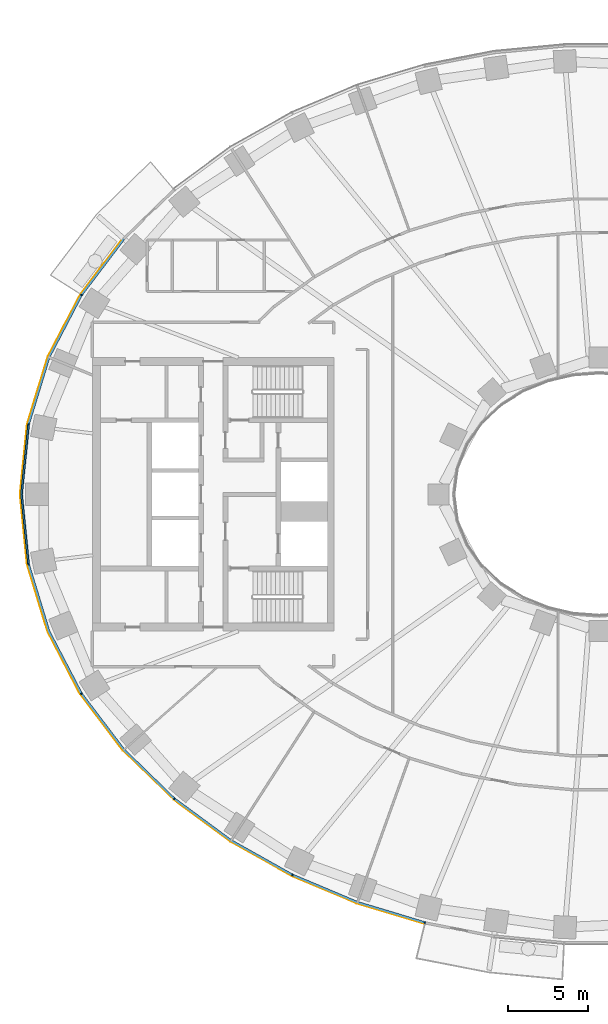
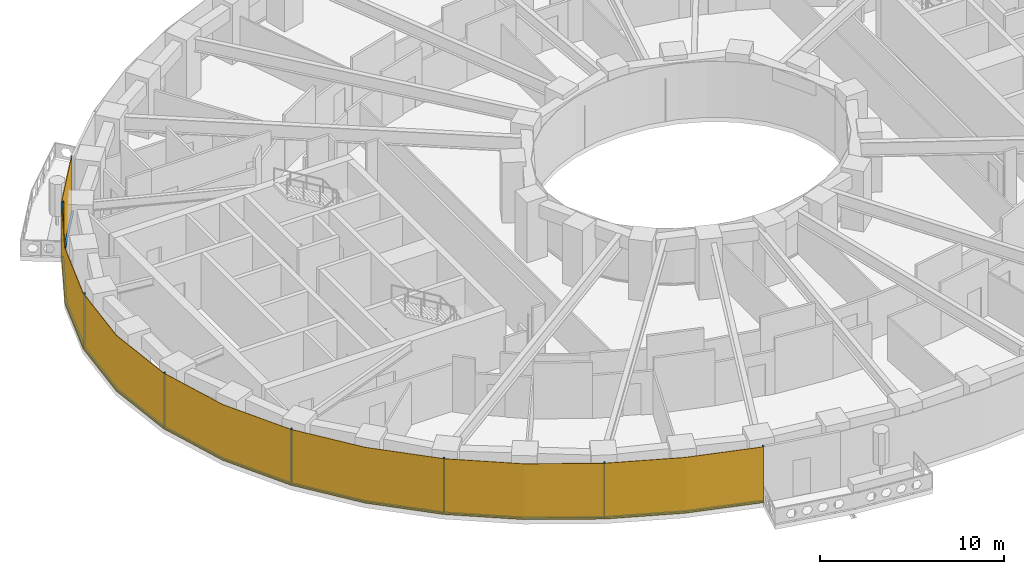
# One storey, part 8 of 16: 14 members, 1 curtain wall.
"""IFC4 building model written with IfcOpenShell, lengths in metres."""

import ifcopenshell
import ifcopenshell.guid

model = None  # the IFC model being written
_history = None  # IfcOwnerHistory: only IFC2X3 demands one
_inside = {}  # id of a spatial element -> (the spatial element, [elements in it])
_under = {}  # id of a project, library or spatial element -> (it, [spatial elements below it])
_declared = {}  # id of a project -> (the project, [libraries it declares])
_typed = {}  # id of a type object -> (the type object, [elements of that type])
_made_of = {}  # id of a material, layer set ... -> (it, [elements and type objects made of it])


def new_model(schema):
    """Start an empty IFC model of exactly this schema.

    Asked for "IFC4X3", IfcOpenShell would pick the latest addendum, in which some entities
    have other attributes; the version numbers below select the first issue.
    IFC2X3 requires an IfcOwnerHistory on every rooted entity: one is made here for all.
    """
    global model, _history
    if schema == "IFC4X3":
        model = ifcopenshell.file(schema_version=(4, 3, 0, 0))
    else:
        model = ifcopenshell.file(schema=schema)
    _inside.clear()
    _under.clear()
    _declared.clear()
    _typed.clear()
    _made_of.clear()
    _history = None
    if model.schema == "IFC2X3":
        org = make("IfcOrganization", Name="unknown")
        user = make(
            "IfcPersonAndOrganization",
            ThePerson=make("IfcPerson", FamilyName="unknown"),
            TheOrganization=org,
        )
        app = make(
            "IfcApplication",
            ApplicationDeveloper=org,
            Version="unknown",
            ApplicationFullName="unknown",
            ApplicationIdentifier="unknown",
        )
        _history = make(
            "IfcOwnerHistory",
            OwningUser=user,
            OwningApplication=app,
            ChangeAction="ADDED",
            CreationDate=0,
        )
    return model


def make(cls, **values):
    """One entity of the class cls with the attributes given. An attribute that is None is left unset."""
    return model.create_entity(
        cls, **{name: value for name, value in values.items() if value is not None}
    )


def rooted(cls, **values):
    """An entity with a GlobalId (a new one), such as an element, a storey or a relation."""
    return make(cls, GlobalId=ifcopenshell.guid.new(), OwnerHistory=_history, **values)


def si_unit(unit_type, name, prefix=None):
    """IfcSIUnit, for example si_unit("LENGTHUNIT", "METRE", prefix="MILLI")."""
    return make("IfcSIUnit", UnitType=unit_type, Prefix=prefix, Name=name)


def assignment(units):
    """IfcUnitAssignment: the units of a project."""
    return None if units is None else make("IfcUnitAssignment", Units=units)


def point(xyz):
    """IfcCartesianPoint."""
    return None if xyz is None else make("IfcCartesianPoint", Coordinates=xyz)


def direction(xyz):
    """IfcDirection."""
    return None if xyz is None else make("IfcDirection", DirectionRatios=xyz)


def frame(location, z_axis=None, x_axis=None):
    """IfcAxis2Placement3D, a coordinate frame: its origin and axes. An axis left out is left unset."""
    return make(
        "IfcAxis2Placement3D",
        Location=point(location),
        Axis=direction(z_axis),
        RefDirection=direction(x_axis),
    )


def frame_2d(location, x_axis=None):
    """IfcAxis2Placement2D, a coordinate frame in the plane: its origin and x axis."""
    return make(
        "IfcAxis2Placement2D", Location=point(location), RefDirection=direction(x_axis)
    )


def origin():
    """The frame at (0, 0, 0) with its axes left unset."""
    return frame((0.0, 0.0, 0.0))


def origin_2d():
    """The frame at (0, 0) in the plane with its x axis left unset."""
    return frame_2d((0.0, 0.0))


def place(relative_to, where):
    """IfcLocalPlacement: puts the frame where relative to a parent placement (None: the world)."""
    return make(
        "IfcLocalPlacement", PlacementRelTo=relative_to, RelativePlacement=where
    )


def context(
    kind, dimensions, precision=None, world=None, true_north=None, identifier=None
):
    """IfcGeometricRepresentationContext, for example the 3D "Model" context."""
    return make(
        "IfcGeometricRepresentationContext",
        ContextIdentifier=identifier,
        ContextType=kind,
        CoordinateSpaceDimension=dimensions,
        Precision=precision,
        WorldCoordinateSystem=world,
        TrueNorth=true_north,
    )


def subcontext(parent, identifier, kind, view, scale=None):
    """IfcGeometricRepresentationSubContext, for example "Body" below "Model"."""
    return make(
        "IfcGeometricRepresentationSubContext",
        ContextIdentifier=identifier,
        ContextType=kind,
        ParentContext=parent,
        TargetScale=scale,
        TargetView=view,
    )


def project(units=None, contexts=None):
    """IfcProject with its units and contexts."""
    return rooted(
        "IfcProject",
        Name="project",
        RepresentationContexts=contexts,
        UnitsInContext=assignment(units),
    )


def spatial(cls, under=None, at=None, **own):
    """A site, building, storey or space (cls), placed at a placement, below another one or the project."""
    s = rooted(cls, ObjectPlacement=at, **own)
    if under is not None:
        _under.setdefault(under.id(), (under, []))[1].append(s)
    return s


def polyline(points):
    """IfcPolyline through the points."""
    return make("IfcPolyline", Points=[point(p) for p in points])


def profile(cls, at=None, kind="AREA", **sizes):
    """A parametric profile (cls). Its sizes go by their IFC names, for example OverallWidth=200.0."""
    return make(cls, ProfileType=kind, Position=at, **sizes)


def rectangle(**sizes):
    """IfcRectangleProfileDef."""
    return profile("IfcRectangleProfileDef", **sizes)


def outline(outer, holes=None, kind="AREA"):
    """IfcArbitraryClosedProfileDef: a profile drawn as a closed curve; with holes, ...WithVoids."""
    if holes is None:
        return make("IfcArbitraryClosedProfileDef", ProfileType=kind, OuterCurve=outer)
    return make(
        "IfcArbitraryProfileDefWithVoids",
        ProfileType=kind,
        OuterCurve=outer,
        InnerCurves=holes,
    )


def extrude(swept, where, along, depth):
    """IfcExtrudedAreaSolid: the profile swept, set in the frame where, extruded along a direction by depth."""
    return make(
        "IfcExtrudedAreaSolid",
        SweptArea=swept,
        Position=where,
        ExtrudedDirection=direction(along),
        Depth=depth,
    )


def shape(context_of_items, identifier, shape_type, items):
    """IfcShapeRepresentation: the items that make up one representation, for example the "Body"."""
    return make(
        "IfcShapeRepresentation",
        ContextOfItems=context_of_items,
        RepresentationIdentifier=identifier,
        RepresentationType=shape_type,
        Items=items,
    )


def material(Name=None, Category=None):
    """IfcMaterial."""
    return make("IfcMaterial", Name=Name, Category=Category)


def layer(
    of_material, thickness, ventilated=None, Name=None, Category=None, Priority=None
):
    """IfcMaterialLayer: one layer of a wall or slab, of a material (None: an air gap)."""
    return make(
        "IfcMaterialLayer",
        Material=of_material,
        LayerThickness=thickness,
        IsVentilated=ventilated,
        Name=Name,
        Category=Category,
        Priority=Priority,
    )


def layer_set(layers, Name=None):
    """IfcMaterialLayerSet."""
    return make("IfcMaterialLayerSet", MaterialLayers=layers, LayerSetName=Name)


def material_profile(
    of_material, cross_section, Name=None, Category=None, Priority=None
):
    """IfcMaterialProfile: a cross section and its material."""
    return make(
        "IfcMaterialProfile",
        Name=Name,
        Material=of_material,
        Profile=cross_section,
        Priority=Priority,
        Category=Category,
    )


def profile_set(profiles, Name=None, composite=None):
    """IfcMaterialProfileSet."""
    return make(
        "IfcMaterialProfileSet",
        Name=Name,
        MaterialProfiles=profiles,
        CompositeProfile=composite,
    )


def made_of(thing, what):
    """Note that an element or type object is made of a material, layer set ...; save() writes the relation."""
    if what is not None:
        _made_of.setdefault(what.id(), (what, []))[1].append(thing)
    return thing


def type_object(cls, material=None, **own):
    """A type object (cls), such as IfcWallType, which elements share."""
    return made_of(rooted(cls, **own), material)


def element(
    cls,
    number,
    at=None,
    inside=None,
    cuts=None,
    type_object=None,
    material=None,
    context=None,
    identifier="Body",
    shape_type=None,
    held_by="IfcProductDefinitionShape",
    body=None,
    shapes=None,
    **own,
):
    """One element of the class cls, such as IfcWall. Its Tag is "e" and its number.

    at: its placement. inside: the storey or other place that contains it. cuts: it is an
    opening in that element (IfcRelVoidsElement). A single representation is given by context,
    identifier, shape_type and body (its items); several are given by shapes. held_by: the class
    of the entity that holds the representations. save() writes the other relations.
    """
    e = rooted(cls, Tag="e%d" % number, ObjectPlacement=at, **own)
    if body is not None:
        shapes = [shape(context, identifier, shape_type, body)]
    if shapes is not None:
        e.Representation = make(held_by, Representations=shapes)
    if inside is not None:
        _inside.setdefault(inside.id(), (inside, []))[1].append(e)
    if cuts is not None:
        rooted(
            "IfcRelVoidsElement", RelatingBuildingElement=cuts, RelatedOpeningElement=e
        )
    if type_object is not None:
        _typed.setdefault(type_object.id(), (type_object, []))[1].append(e)
    return made_of(e, material)


def aggregate(whole, parts):
    """IfcRelAggregates: a whole, such as a stair, and the parts it consists of."""
    return rooted("IfcRelAggregates", RelatingObject=whole, RelatedObjects=parts)


def save(model, path):
    """Write the relations noted so far, then the file.

    IfcRelAggregates (storeys below a building ...), IfcRelContainedInSpatialStructure (elements
    in a storey), IfcRelDefinesByType, IfcRelAssociatesMaterial and IfcRelDeclares: one each for
    every whole, place, type object, material and project.
    """
    for whole, parts in _under.values():
        aggregate(whole, parts)
    for where, things in _inside.values():
        rooted(
            "IfcRelContainedInSpatialStructure",
            RelatedElements=things,
            RelatingStructure=where,
        )
    for kind, things in _typed.values():
        rooted("IfcRelDefinesByType", RelatedObjects=things, RelatingType=kind)
    for what, things in _made_of.values():
        rooted("IfcRelAssociatesMaterial", RelatedObjects=things, RelatingMaterial=what)
    for by, libraries in _declared.values():
        rooted("IfcRelDeclares", RelatingContext=by, RelatedDefinitions=libraries)
    model.write(path)


model = new_model("IFC4")

# Units and contexts
model_context = context("Model", 3, precision=1e-05, world=origin(), true_north=direction((0.0, 1.0)))
body_context = subcontext(model_context, "Body", "Model", "MODEL_VIEW")
ifc_project = project(units=[si_unit("LENGTHUNIT", "METRE"), si_unit("AREAUNIT", "SQUARE_METRE"), si_unit("VOLUMEUNIT", "CUBIC_METRE"), si_unit("PLANEANGLEUNIT", "RADIAN"), si_unit("MASSUNIT", "GRAM", prefix="KILO")], contexts=[model_context])

# Member
ifc_material_1 = material(Name="Aluminium 6063-T6 black anodised", Category="aluminium")
ifc_material_profile = material_profile(ifc_material_1, rectangle(XDim=0.1201171875, YDim=0.06005859375, at=origin_2d()), Name="120x60")
ifc_profile_set = profile_set([ifc_material_profile], Name="Aluminium 6063-T6 black anodised")
member_type_1 = type_object("IfcMemberType", Name="ENV-MULLION-A-120", PredefinedType="MULLION", material=ifc_profile_set)
site_placement = place(None, origin())
building_placement = place(site_placement, origin())
storey_placement = place(building_placement, frame((0.0, 0.0, 70.5)))
member_1_placement = place(storey_placement, frame((-32.177490234375, 12.385498046875, 0.0), z_axis=(0.0, 0.0, 1.0), x_axis=(0.844829880882, -0.53503501976, 0.0)))
member_1 = element("IfcMember", 1, at=member_1_placement, type_object=member_type_1, Name="Mullion A radial 21", PredefinedType="MULLION", context=body_context, shape_type="SweptSolid", body=[
    extrude(rectangle(XDim=0.1201171875, YDim=0.06005859375, at=origin_2d()), origin(), (0.0, 0.0, 1.0), 3.699951171875),
])

member_2_placement = place(storey_placement, frame((-35.470947265625, 4.340576171875, 0.0), z_axis=(0.0, 0.0, 1.0), x_axis=(0.980379083141, -0.19712141776, 0.0)))
member_2 = element("IfcMember", 2, at=member_2_placement, type_object=member_type_1, Name="Mullion A radial 23", PredefinedType="MULLION", context=body_context, shape_type="SweptSolid", body=[
    extrude(rectangle(XDim=0.1201171875, YDim=0.06005859375, at=origin_2d()), origin(), (0.0, 0.0, 1.0), 3.699951171875),
])

member_3_placement = place(storey_placement, frame((-35.470947265625, -4.340576171875, 0.0), z_axis=(0.0, 0.0, 1.0), x_axis=(0.980379083141, 0.19712141776, 0.0)))
member_3 = element("IfcMember", 3, at=member_3_placement, type_object=member_type_1, Name="Mullion A radial 25", PredefinedType="MULLION", context=body_context, shape_type="SweptSolid", body=[
    extrude(rectangle(XDim=0.1201171875, YDim=0.06005859375, at=origin_2d()), origin(), (0.0, 0.0, 1.0), 3.699951171875),
])

member_4_placement = place(storey_placement, frame((-32.177490234375, -12.385498046875, 0.0), z_axis=(0.0, 0.0, 1.0), x_axis=(0.844829880882, 0.53503501976, 0.0)))
member_4 = element("IfcMember", 4, at=member_4_placement, type_object=member_type_1, Name="Mullion A radial 27", PredefinedType="MULLION", context=body_context, shape_type="SweptSolid", body=[
    extrude(rectangle(XDim=0.1201171875, YDim=0.06005859375, at=origin_2d()), origin(), (0.0, 0.0, 1.0), 3.699951171875),
])

member_5_placement = place(storey_placement, frame((-26.403564453125, -18.9130859375, 0.0), z_axis=(0.0, 0.0, 1.0), x_axis=(0.646451313783, 0.762955240435, 0.0)))
member_5 = element("IfcMember", 5, at=member_5_placement, type_object=member_type_1, Name="Mullion A radial 29", PredefinedType="MULLION", context=body_context, shape_type="SweptSolid", body=[
    extrude(rectangle(XDim=0.1201171875, YDim=0.06005859375, at=origin_2d()), origin(), (0.0, 0.0, 1.0), 3.699951171875),
])

member_6_placement = place(storey_placement, frame((-19.06787109375, -23.6474609375, 0.0), z_axis=(0.0, 0.0, 1.0), x_axis=(0.439237769837, 0.898370848563, 0.0)))
member_6 = element("IfcMember", 6, at=member_6_placement, type_object=member_type_1, Name="Mullion A radial 31", PredefinedType="MULLION", context=body_context, shape_type="SweptSolid", body=[
    extrude(rectangle(XDim=0.1201171875, YDim=0.06005859375, at=origin_2d()), origin(), (0.0, 0.0, 1.0), 3.699951171875),
])

member_7_placement = place(storey_placement, frame((-10.84326171875, -26.60498046875, 0.0), z_axis=(0.0, 0.0, 1.0), x_axis=(0.239799081534, 0.970822538106, 0.0)))
member_7 = element("IfcMember", 7, at=member_7_placement, type_object=member_type_1, Name="Mullion A radial 33", PredefinedType="MULLION", context=body_context, shape_type="SweptSolid", body=[
    extrude(rectangle(XDim=0.1201171875, YDim=0.06005859375, at=origin_2d()), origin(), (0.0, 0.0, 1.0), 3.699951171875),
])

ifc_material_2 = material(Name="Aluminium 6063-T6 black anodised", Category="aluminium")
member_type_2 = type_object("IfcMemberType", Name="ENV-TRANSOM-A", PredefinedType="USERDEFINED", material=ifc_material_2)
member_8_placement = place(storey_placement, origin())
member_8 = element("IfcMember", 8, at=member_8_placement, type_object=member_type_2, Name="Transom A radial 20-21", ObjectType="TRANSOM", PredefinedType="USERDEFINED", context=body_context, shape_type="SweptSolid", body=[
    extrude(outline(polyline([(-29.595703125, 15.890869140625), (-32.211181640625, 12.43994140625), (-32.109375, 12.37548828125), (-29.505615234375, 15.811279296875), (-29.595703125, 15.890869140625)])), origin(), (0.0, 0.0, 1.0), 0.10009765625),
])

member_9_placement = place(storey_placement, origin())
member_9 = element("IfcMember", 9, at=member_9_placement, type_object=member_type_2, Name="Transom A radial 21-23", ObjectType="TRANSOM", PredefinedType="USERDEFINED", context=body_context, shape_type="SweptSolid", body=[
    extrude(outline(polyline([(-32.240966796875, 12.392578125), (-34.251220703125, 8.53662109375), (-35.521484375, 4.379150390625), (-35.4033203125, 4.355224609375), (-34.139892578125, 8.490966796875), (-32.139404296875, 12.328369140625), (-32.240966796875, 12.392578125)])), origin(), (0.0, 0.0, 1.0), 0.10009765625),
])

member_10_placement = place(storey_placement, origin())
member_10 = element("IfcMember", 10, at=member_10_placement, type_object=member_type_2, Name="Transom A radial 23-25", ObjectType="TRANSOM", PredefinedType="USERDEFINED", context=body_context, shape_type="SweptSolid", body=[
    extrude(outline(polyline([(-35.532470703125, 4.324462890625), (-35.9677734375, 0.0), (-35.532470703125, -4.324462890625), (-35.414306640625, -4.30078125), (-35.84716796875, 0.0), (-35.414306640625, 4.30078125), (-35.532470703125, 4.324462890625)])), origin(), (0.0, 0.0, 1.0), 0.10009765625),
])

member_11_placement = place(storey_placement, origin())
member_11 = element("IfcMember", 11, at=member_11_placement, type_object=member_type_2, Name="Transom A radial 25-27", ObjectType="TRANSOM", PredefinedType="USERDEFINED", context=body_context, shape_type="SweptSolid", body=[
    extrude(outline(polyline([(-35.521484375, -4.379150390625), (-34.251220703125, -8.53662109375), (-32.240966796875, -12.392578125), (-32.139404296875, -12.328369140625), (-34.139892578125, -8.490966796875), (-35.4033203125, -4.355224609375), (-35.521484375, -4.379150390625)])), origin(), (0.0, 0.0, 1.0), 0.10009765625),
])

member_12_placement = place(storey_placement, origin())
member_12 = element("IfcMember", 12, at=member_12_placement, type_object=member_type_2, Name="Transom A radial 27-29", ObjectType="TRANSOM", PredefinedType="USERDEFINED", context=body_context, shape_type="SweptSolid", body=[
    extrude(outline(polyline([(-32.211181640625, -12.43994140625), (-29.58349609375, -15.906982421875), (-26.46240234375, -18.939208984375), (-26.384765625, -18.847412109375), (-29.493408203125, -15.8271484375), (-32.109375, -12.37548828125), (-32.211181640625, -12.43994140625)])), origin(), (0.0, 0.0, 1.0), 0.10009765625),
])

member_13_placement = place(storey_placement, origin())
member_13 = element("IfcMember", 13, at=member_13_placement, type_object=member_type_2, Name="Transom A radial 29-31", ObjectType="TRANSOM", PredefinedType="USERDEFINED", context=body_context, shape_type="SweptSolid", body=[
    extrude(outline(polyline([(-26.419921875, -18.975341796875), (-22.9150390625, -21.556884765625), (-19.11865234375, -23.687744140625), (-19.06591796875, -23.57958984375), (-22.85009765625, -21.455810546875), (-26.342041015625, -18.883544921875), (-26.419921875, -18.975341796875)])), origin(), (0.0, 0.0, 1.0), 0.10009765625),
])

member_14_placement = place(storey_placement, origin())
member_14 = element("IfcMember", 14, at=member_14_placement, type_object=member_type_2, Name="Transom A radial 31-33", ObjectType="TRANSOM", PredefinedType="USERDEFINED", context=body_context, shape_type="SweptSolid", body=[
    extrude(outline(polyline([(-19.068359375, -23.71240234375), (-15.054443359375, -25.400146484375), (-10.884521484375, -26.655029296875), (-10.855712890625, -26.53857421875), (-15.013916015625, -25.287109375), (-19.015380859375, -23.604248046875), (-19.068359375, -23.71240234375)])), origin(), (0.0, 0.0, 1.0), 0.10009765625),
])

# Site, building, storey
site = spatial("IfcSite", under=ifc_project, at=site_placement, CompositionType="ELEMENT")
building = spatial("IfcBuilding", under=site, at=building_placement, Name="Noorbagh Ring Tower", CompositionType="ELEMENT")
storey = spatial("IfcBuildingStorey", under=building, at=storey_placement, Name="L15", CompositionType="ELEMENT", Elevation=70.5)

# Curtain wall
ifc_material_3 = material(Name="Glass dark tinted laminated", Category="glass")
ifc_layer = layer(ifc_material_3, 0.031982421875)
ifc_layer_set = layer_set([ifc_layer], Name="Glass dark tinted laminated")
curtain_wall_type = type_object("IfcCurtainWallType", Name="ENV-CW-A", PredefinedType="NOTDEFINED", material=ifc_layer_set)
curtain_wall_placement = place(storey_placement, origin())
curtain_wall = element("IfcCurtainWall", 15, at=curtain_wall_placement, inside=storey, type_object=curtain_wall_type, Name="Curtain wall A R20", PredefinedType="NOTDEFINED", context=body_context, shape_type="SweptSolid", body=[
    extrude(outline(polyline([(-29.61962890625, 15.912109375), (-32.255126953125, 12.434814453125), (-34.281005859375, 8.548828125), (-35.561279296875, 4.358642578125), (-36.0, 0.0), (-35.561279296875, -4.358642578125), (-34.281005859375, -8.548828125), (-32.255126953125, -12.434814453125), (-29.607666015625, -15.927978515625), (-26.463134765625, -18.9833984375), (-22.9326171875, -21.583740234375), (-19.108154296875, -23.730224609375), (-15.065185546875, -25.430419921875), (-10.884521484375, -26.6884765625), (-10.876708984375, -26.657470703125), (-15.054443359375, -25.400146484375), (-19.093994140625, -23.701416015625), (-22.9150390625, -21.556884765625), (-26.4423828125, -18.958740234375), (-29.58349609375, -15.906982421875), (-32.22802734375, -12.41748046875), (-34.251220703125, -8.53662109375), (-35.529541015625, -4.352294921875), (-35.9677734375, 0.0), (-35.529541015625, 4.352294921875), (-34.251220703125, 8.53662109375), (-32.22802734375, 12.41748046875), (-29.595703125, 15.890869140625), (-29.61962890625, 15.912109375)])), origin(), (0.0, 0.0, 1.0), 3.699951171875),
])

aggregate(curtain_wall, [member_1, member_2, member_3, member_4, member_5, member_6, member_7, member_8, member_9, member_10, member_11, member_12, member_13, member_14])

save(model, "model.ifc")
